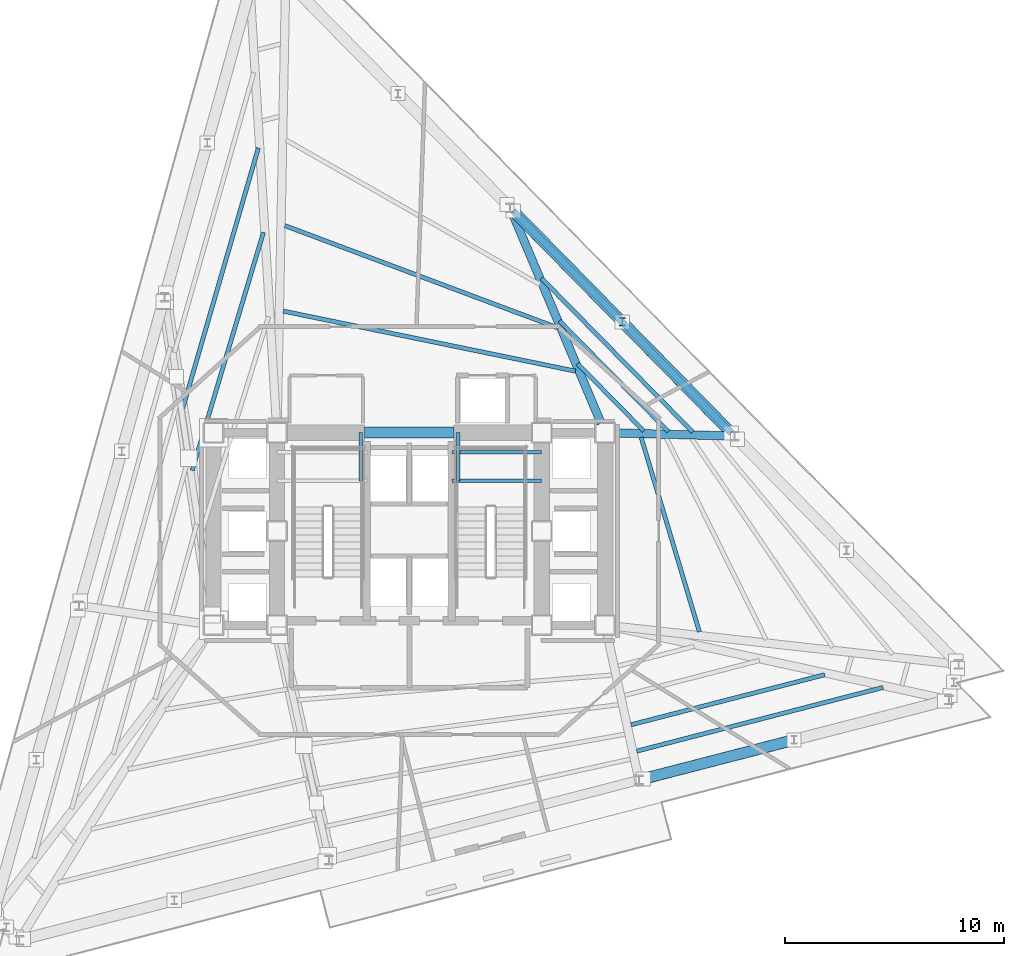
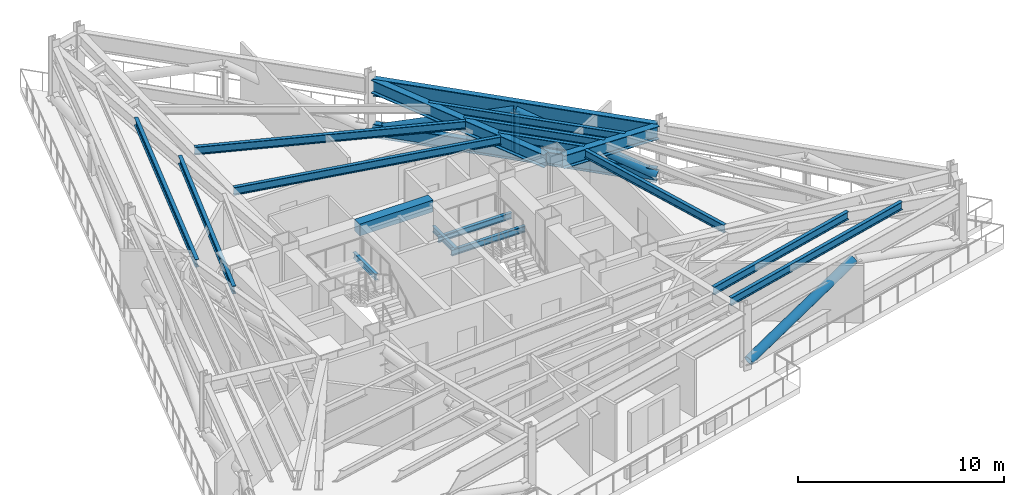
# One storey, part 3 of 11: 18 beams, 5 members.
"""IFC4 building model written with IfcOpenShell, lengths in metres."""

from ifc_helpers import new_model, si_unit, direction, frame, origin, origin_2d, place, context, subcontext, project, spatial, rectangle, hollow_circle, i_section, extrude, material, material_profile, profile_set, type_object, element, save


model = new_model("IFC4")

# Units and contexts
model_context = context("Model", 3, precision=1e-05, world=origin(), true_north=direction((0.0, 1.0)))
body_context = subcontext(model_context, "Body", "Model", "MODEL_VIEW")
ifc_project = project(units=[si_unit("LENGTHUNIT", "METRE"), si_unit("AREAUNIT", "SQUARE_METRE"), si_unit("VOLUMEUNIT", "CUBIC_METRE"), si_unit("PLANEANGLEUNIT", "RADIAN"), si_unit("MASSUNIT", "GRAM", prefix="KILO")], contexts=[model_context])

# Site, building, storey
site_placement = place(None, origin())
site = spatial("IfcSite", under=ifc_project, at=site_placement, CompositionType="ELEMENT")
building_placement = place(site_placement, origin())
building = spatial("IfcBuilding", under=site, at=building_placement, Name="Rocaltana Carrier Exchange", CompositionType="ELEMENT")
storey_placement = place(building_placement, frame((0.0, 0.0, 100.800048828125)))
storey = spatial("IfcBuildingStorey", under=building, at=storey_placement, Name="L31", CompositionType="ELEMENT", Elevation=100.800048828125)

# Members
ifc_material_1 = material(Name="Steel S460", Category="steel")
ifc_material_profile_1 = material_profile(ifc_material_1, i_section(OverallWidth=0.300048828125, OverallDepth=0.800048828125, WebThickness=0.017578125, FlangeThickness=0.032958984375, FilletRadius=0.030029296875, at=origin_2d()), Name="HEB800")
ifc_profile_set_1 = profile_set([ifc_material_profile_1], Name="Steel S460")
member_type_1 = type_object("IfcMemberType", Name="Belt Truss Chord HEB800", PredefinedType="CHORD", material=ifc_profile_set_1)
member_1_placement = place(storey_placement, frame((14.719482421875, 4.48974609375, 0.349853515625), z_axis=(-0.700903085154, 0.713256521332, 0.0), x_axis=(-0.713256521332, -0.700903085154, 0.0)))
element("IfcMember", 1, at=member_1_placement, inside=storey, type_object=member_type_1, Name="L31 Belt Truss Bottom Chord 2", PredefinedType="CHORD", context=body_context, shape_type="SweptSolid", body=[
    extrude(i_section(OverallWidth=0.300048828125, OverallDepth=0.800048828125, WebThickness=0.017578125, FlangeThickness=0.032958984375, FilletRadius=0.030029296875, at=origin_2d()), origin(), (0.0, 0.0, 1.0), 14.229248046875),
])
ifc_material_2 = material(Name="Steel S460", Category="steel")
ifc_material_profile_2 = material_profile(ifc_material_2, hollow_circle(Radius=0.25390625, WallThickness=0.02001953125, at=origin_2d()), Name="CHS508X20")
ifc_profile_set_2 = profile_set([ifc_material_profile_2], Name="Steel S460")
member_type_2 = type_object("IfcMemberType", Name="Belt Truss Diagonal CHS508", PredefinedType="BRACE", material=ifc_profile_set_2)
for number, where, z_axis, x_axis, name in (
    (2, (14.719482421875, 4.48974609375, 0.349853515625), (-0.661630349354, 0.673258925454, 0.330102559986), (-0.713239514746, -0.700920391061, 0.0), "L31 Belt Truss Diagonal 2A"),
    (3, (9.732666015625, 9.564208984375, 2.837890625), (-0.661597707881, 0.673291062718, -0.330102435301), (-0.71327352749, -0.700885778841, 0.0), "L31 Belt Truss Diagonal 2B"),
    (4, (10.69580078125, -11.328369140625, 0.349853515625), (0.913879243607, 0.236333001147, 0.330108225697), (-0.250367848828, 0.968150783852, 0.0), "L31 Belt Truss Diagonal 11A"),
):
    element("IfcMember", number, at=place(storey_placement, frame(where, z_axis=z_axis, x_axis=x_axis)), inside=storey, type_object=member_type_2, Name=name, PredefinedType="BRACE", context=body_context, shape_type="SweptSolid", body=[
        extrude(hollow_circle(Radius=0.25390625, WallThickness=0.02001953125, at=origin_2d()), origin(), (0.0, 0.0, 1.0), 7.537109375),
    ])
ifc_material_3 = material(Name="Steel S460", Category="steel")
ifc_material_profile_3 = material_profile(ifc_material_3, i_section(OverallWidth=0.257080078125, OverallDepth=0.363037109375, WebThickness=0.012939453125, FlangeThickness=0.021728515625, FilletRadius=0.014892578125, at=origin_2d()), Name="W14X82")
ifc_profile_set_3 = profile_set([ifc_material_profile_3], Name="Steel S460")
member_type_3 = type_object("IfcMemberType", Name="Belt Truss Post W14X82", PredefinedType="POST", material=ifc_profile_set_3)
member_2_placement = place(storey_placement, frame((9.732666015625, 9.564208984375, 0.349853515625), z_axis=(0.0, 0.0, 1.0), x_axis=(1.0, 0.0, 0.0)))
element("IfcMember", 5, at=member_2_placement, inside=storey, type_object=member_type_3, Name="L31 Belt Truss Post 2", PredefinedType="POST", context=body_context, shape_type="SweptSolid", body=[
    extrude(i_section(OverallWidth=0.257080078125, OverallDepth=0.363037109375, WebThickness=0.012939453125, FlangeThickness=0.021728515625, FilletRadius=0.014892578125, at=origin_2d()), origin(), (0.0, 0.0, 1.0), 2.488037109375),
])

# Beams
ifc_material_4 = material(Name="Concrete C60/75", Category="concrete")
ifc_material_profile_4 = material_profile(ifc_material_4, rectangle(XDim=0.5, YDim=0.699951171875, at=origin_2d()), Name="RC-BM-500X700")
ifc_profile_set_4 = profile_set([ifc_material_profile_4], Name="Concrete C60/75")
beam_type_1 = type_object("IfcBeamType", Name="Core Coupling Lintel 500x700", PredefinedType="LINTEL", material=ifc_profile_set_4)
beam_1_placement = place(storey_placement, frame((-2.050048828125, 4.5, 3.06787109375), z_axis=(1.0, 0.0, 0.0), x_axis=(0.0, 1.0, 0.0)))
element("IfcBeam", 6, at=beam_1_placement, inside=storey, type_object=beam_type_1, Name="L31 Core Coupling Lintel CL-N", PredefinedType="LINTEL", context=body_context, shape_type="SweptSolid", body=[
    extrude(rectangle(XDim=0.5, YDim=0.699951171875, at=origin_2d()), origin(), (0.0, 0.0, 1.0), 4.10009765625),
])
ifc_material_5 = material(Name="Steel S355", Category="steel")
ifc_material_profile_5 = material_profile(ifc_material_5, i_section(OverallWidth=0.172119140625, OverallDepth=0.35791015625, WebThickness=0.0078125, FlangeThickness=0.01318359375, FilletRadius=0.011962890625, at=origin_2d()), Name="W14X38")
ifc_profile_set_5 = profile_set([ifc_material_profile_5], Name="Steel S355")
beam_type_2 = type_object("IfcBeamType", Name="Floor Joist W14X38", PredefinedType="JOIST", material=ifc_profile_set_5)
for number, where, z_axis, x_axis, name in (
    (7, (1.93994140625, 2.300048828125, 1.541015625), (1.0, 0.0, 0.0), (0.0, 1.0, 0.0), "L31 ST-2 Landing Carrier 1"),
    (8, (1.93994140625, 3.60009765625, 1.541015625), (1.0, 0.0, 0.0), (0.0, 1.0, 0.0), "L31 ST-2 Landing Carrier 2"),
):
    element("IfcBeam", number, at=place(storey_placement, frame(where, z_axis=z_axis, x_axis=x_axis)), inside=storey, type_object=beam_type_2, Name=name, PredefinedType="JOIST", context=body_context, shape_type="SweptSolid", body=[
        extrude(i_section(OverallWidth=0.172119140625, OverallDepth=0.35791015625, WebThickness=0.0078125, FlangeThickness=0.01318359375, FilletRadius=0.011962890625, at=origin_2d()), origin(), (0.0, 0.0, 1.0), 4.110107421875),
    ])
for number, where, z_axis, x_axis, name in (
    (9, (-2.219970703125, 2.300048828125, 1.541015625), (0.0, 1.0, 0.0), (-1.0, 0.0, 0.0), "L31 ST-1 Landing Cross Trimmer"),
    (10, (2.219970703125, 2.300048828125, 1.541015625), (0.0, 1.0, 0.0), (-1.0, 0.0, 0.0), "L31 ST-2 Landing Cross Trimmer"),
):
    element("IfcBeam", number, at=place(storey_placement, frame(where, z_axis=z_axis, x_axis=x_axis)), inside=storey, type_object=beam_type_2, Name=name, PredefinedType="JOIST", context=body_context, shape_type="SweptSolid", body=[
        extrude(i_section(OverallWidth=0.172119140625, OverallDepth=0.35791015625, WebThickness=0.0078125, FlangeThickness=0.01318359375, FilletRadius=0.011962890625, at=origin_2d()), origin(), (0.0, 0.0, 1.0), 2.199951171875),
    ])
ifc_material_6 = material(Name="Steel S355", Category="steel")
ifc_material_profile_6 = material_profile(ifc_material_6, i_section(OverallWidth=0.193115234375, OverallDepth=0.466064453125, WebThickness=0.011474609375, FlangeThickness=0.01904296875, FilletRadius=0.013916015625, at=origin_2d()), Name="W18X65")
ifc_profile_set_6 = profile_set([ifc_material_profile_6], Name="Steel S355")
beam_type_3 = type_object("IfcBeamType", Name="Floor Joist W18X65", PredefinedType="JOIST", material=ifc_profile_set_6)
beam_2_placement = place(storey_placement, frame((13.26220703125, -4.60693359375, 3.18505859375), z_axis=(-0.287007505681, 0.957928333271, 0.0), x_axis=(-0.957928333271, -0.287007505681, 0.0)))
element("IfcBeam", 11, at=beam_2_placement, inside=storey, type_object=beam_type_3, Name="FJ-L31-01-1", PredefinedType="JOIST", context=body_context, shape_type="SweptSolid", body=[
    extrude(i_section(OverallWidth=0.193115234375, OverallDepth=0.466064453125, WebThickness=0.011474609375, FlangeThickness=0.01904296875, FilletRadius=0.013916015625, at=origin_2d()), origin(), (0.0, 0.0, 1.0), 9.27880859375),
])
beam_3_placement = place(storey_placement, frame((10.712158203125, 4.582275390625, 3.18505859375), z_axis=(-0.70091067775, 0.713249060158, 0.0), x_axis=(-0.713249060158, -0.70091067775, 0.0)))
element("IfcBeam", 12, at=beam_3_placement, inside=storey, type_object=beam_type_3, Name="FJ-L31-02-1", PredefinedType="JOIST", context=body_context, shape_type="SweptSolid", body=[
    extrude(i_section(OverallWidth=0.193115234375, OverallDepth=0.466064453125, WebThickness=0.011474609375, FlangeThickness=0.01904296875, FilletRadius=0.013916015625, at=origin_2d()), origin(), (0.0, 0.0, 1.0), 4.3134765625),
])
beam_4_placement = place(storey_placement, frame((11.835205078125, 4.552978515625, 3.18505859375), z_axis=(-0.700902247455, 0.713257344521, 0.0), x_axis=(-0.713257344521, -0.700902247455, 0.0)))
element("IfcBeam", 13, at=beam_4_placement, inside=storey, type_object=beam_type_3, Name="FJ-L31-02-2", PredefinedType="JOIST", context=body_context, shape_type="SweptSolid", body=[
    extrude(i_section(OverallWidth=0.193115234375, OverallDepth=0.466064453125, WebThickness=0.011474609375, FlangeThickness=0.01904296875, FilletRadius=0.013916015625, at=origin_2d()), origin(), (0.0, 0.0, 1.0), 7.093994140625),
])
beam_5_placement = place(storey_placement, frame((12.95849609375, 4.523681640625, 3.18505859375), z_axis=(-0.700923503273, 0.713236456275, 0.0), x_axis=(-0.713236456275, -0.700923503273, 0.0)))
element("IfcBeam", 14, at=beam_5_placement, inside=storey, type_object=beam_type_3, Name="FJ-L31-02-3", PredefinedType="JOIST", context=body_context, shape_type="SweptSolid", body=[
    extrude(i_section(OverallWidth=0.193115234375, OverallDepth=0.466064453125, WebThickness=0.011474609375, FlangeThickness=0.01904296875, FilletRadius=0.013916015625, at=origin_2d()), origin(), (0.0, 0.0, 1.0), 9.874267578125),
])
beam_6_placement = place(storey_placement, frame((7.595947265625, 7.3134765625, 3.18505859375), z_axis=(-0.979547633198, 0.201212410891, 0.0), x_axis=(-0.201212410891, -0.979547633198, 0.0)))
element("IfcBeam", 15, at=beam_6_placement, inside=storey, type_object=beam_type_3, Name="FJ-L31-03-1", PredefinedType="JOIST", context=body_context, shape_type="SweptSolid", body=[
    extrude(i_section(OverallWidth=0.193115234375, OverallDepth=0.466064453125, WebThickness=0.011474609375, FlangeThickness=0.01904296875, FilletRadius=0.013916015625, at=origin_2d()), origin(), (0.0, 0.0, 1.0), 13.63671875),
])
beam_7_placement = place(storey_placement, frame((6.7783203125, 9.294921875, 3.18505859375), z_axis=(-0.936465457972, 0.350759812443, 0.0), x_axis=(-0.350759812443, -0.936465457972, 0.0)))
element("IfcBeam", 16, at=beam_7_placement, inside=storey, type_object=beam_type_3, Name="FJ-L31-03-2", PredefinedType="JOIST", context=body_context, shape_type="SweptSolid", body=[
    extrude(i_section(OverallWidth=0.193115234375, OverallDepth=0.466064453125, WebThickness=0.011474609375, FlangeThickness=0.01904296875, FilletRadius=0.013916015625, at=origin_2d()), origin(), (0.0, 0.0, 1.0), 13.318603515625),
])
beam_8_placement = place(storey_placement, frame((-6.67041015625, 13.660400390625, 3.18505859375), z_axis=(-0.286825460665, -0.957982857422, 0.0), x_axis=(0.957982857422, -0.286825460665, 0.0)))
element("IfcBeam", 17, at=beam_8_placement, inside=storey, type_object=beam_type_3, Name="FJ-L31-05-2", PredefinedType="JOIST", context=body_context, shape_type="SweptSolid", body=[
    extrude(i_section(OverallWidth=0.193115234375, OverallDepth=0.466064453125, WebThickness=0.011474609375, FlangeThickness=0.01904296875, FilletRadius=0.013916015625, at=origin_2d()), origin(), (0.0, 0.0, 1.0), 11.3623046875),
])
beam_9_placement = place(storey_placement, frame((-6.9033203125, 17.5166015625, 3.18505859375), z_axis=(-0.278929267489, -0.960311649277, 0.0), x_axis=(0.960311649277, -0.278929267489, 0.0)))
element("IfcBeam", 18, at=beam_9_placement, inside=storey, type_object=beam_type_3, Name="FJ-L31-05-3", PredefinedType="JOIST", context=body_context, shape_type="SweptSolid", body=[
    extrude(i_section(OverallWidth=0.193115234375, OverallDepth=0.466064453125, WebThickness=0.011474609375, FlangeThickness=0.01904296875, FilletRadius=0.013916015625, at=origin_2d()), origin(), (0.0, 0.0, 1.0), 12.382568359375),
])
beam_10_placement = place(storey_placement, frame((10.13623046875, -8.855224609375, 3.18505859375), z_axis=(0.968150482849, 0.250369012776, 0.0), x_axis=(-0.250369012776, 0.968150482849, 0.0)))
element("IfcBeam", 19, at=beam_10_placement, inside=storey, type_object=beam_type_3, Name="FJ-L31-11-3", PredefinedType="JOIST", context=body_context, shape_type="SweptSolid", body=[
    extrude(i_section(OverallWidth=0.193115234375, OverallDepth=0.466064453125, WebThickness=0.011474609375, FlangeThickness=0.01904296875, FilletRadius=0.013916015625, at=origin_2d()), origin(), (0.0, 0.0, 1.0), 9.142822265625),
])
beam_11_placement = place(storey_placement, frame((10.39990234375, -10.05859375, 3.18505859375), z_axis=(0.968149894521, 0.25037128777, 0.0), x_axis=(-0.25037128777, 0.968149894521, 0.0)))
element("IfcBeam", 20, at=beam_11_placement, inside=storey, type_object=beam_type_3, Name="FJ-L31-11-4", PredefinedType="JOIST", context=body_context, shape_type="SweptSolid", body=[
    extrude(i_section(OverallWidth=0.193115234375, OverallDepth=0.466064453125, WebThickness=0.011474609375, FlangeThickness=0.01904296875, FilletRadius=0.013916015625, at=origin_2d()), origin(), (0.0, 0.0, 1.0), 11.630126953125),
])
ifc_material_7 = material(Name="Steel S355", Category="steel")
ifc_material_profile_7 = material_profile(ifc_material_7, i_section(OverallWidth=0.381103515625, OverallDepth=0.77294921875, WebThickness=0.0166015625, FlangeThickness=0.027099609375, FilletRadius=0.01904296875, at=origin_2d()), Name="W30X173")
ifc_profile_set_7 = profile_set([ifc_material_profile_7], Name="Steel S355")
beam_type_4 = type_object("IfcBeamType", Name="Plant Floor Girder W30X173", PredefinedType="BEAM", material=ifc_profile_set_7)
beam_12_placement = place(storey_placement, frame((9.416748046875, 4.48779296875, 3.031494140625), z_axis=(0.99965940255, -0.026097488242, 0.0), x_axis=(0.026097488242, 0.99965940255, 0.0)))
element("IfcBeam", 21, at=beam_12_placement, inside=storey, type_object=beam_type_4, Name="RG-L31-02", PredefinedType="BEAM", context=body_context, shape_type="SweptSolid", body=[
    extrude(i_section(OverallWidth=0.381103515625, OverallDepth=0.77294921875, WebThickness=0.0166015625, FlangeThickness=0.027099609375, FilletRadius=0.01904296875, at=origin_2d()), origin(), (0.0, 0.0, 1.0), 5.248046875),
])
beam_13_placement = place(storey_placement, frame((8.768310546875, 4.93017578125, 3.031494140625), z_axis=(-0.389283409267, 0.921118031128, 0.0), x_axis=(-0.921118031128, -0.389283409267, 0.0)))
element("IfcBeam", 22, at=beam_13_placement, inside=storey, type_object=beam_type_4, Name="RG-L31-03", PredefinedType="BEAM", context=body_context, shape_type="SweptSolid", body=[
    extrude(i_section(OverallWidth=0.381103515625, OverallDepth=0.77294921875, WebThickness=0.0166015625, FlangeThickness=0.027099609375, FilletRadius=0.01904296875, at=origin_2d()), origin(), (0.0, 0.0, 1.0), 10.49853515625),
])
ifc_material_8 = material(Name="Steel S460", Category="steel")
ifc_material_profile_8 = material_profile(ifc_material_8, i_section(OverallWidth=0.302001953125, OverallDepth=1.008056640625, WebThickness=0.02099609375, FlangeThickness=0.0400390625, FilletRadius=0.030029296875, at=origin_2d()), Name="HEM1000")
ifc_profile_set_8 = profile_set([ifc_material_profile_8], Name="Steel S460")
beam_type_5 = type_object("IfcBeamType", Name="Transfer Ring Girder HEM1000", PredefinedType="USERDEFINED", material=ifc_profile_set_8)
beam_14_placement = place(storey_placement, frame((14.722412109375, 4.48681640625, 2.9140625), z_axis=(-0.700906711307, 0.713252957965, 0.0), x_axis=(-0.713252957965, -0.700906711307, 0.0)))
element("IfcBeam", 23, at=beam_14_placement, inside=storey, type_object=beam_type_5, Name="SP-L31-02", ObjectType="TRANSFER GIRDER", PredefinedType="USERDEFINED", context=body_context, shape_type="SweptSolid", body=[
    extrude(i_section(OverallWidth=0.302001953125, OverallDepth=1.008056640625, WebThickness=0.02099609375, FlangeThickness=0.0400390625, FilletRadius=0.030029296875, at=origin_2d()), origin(), (0.0, 0.0, 1.0), 14.237548828125),
])

save(model, "model.ifc")
